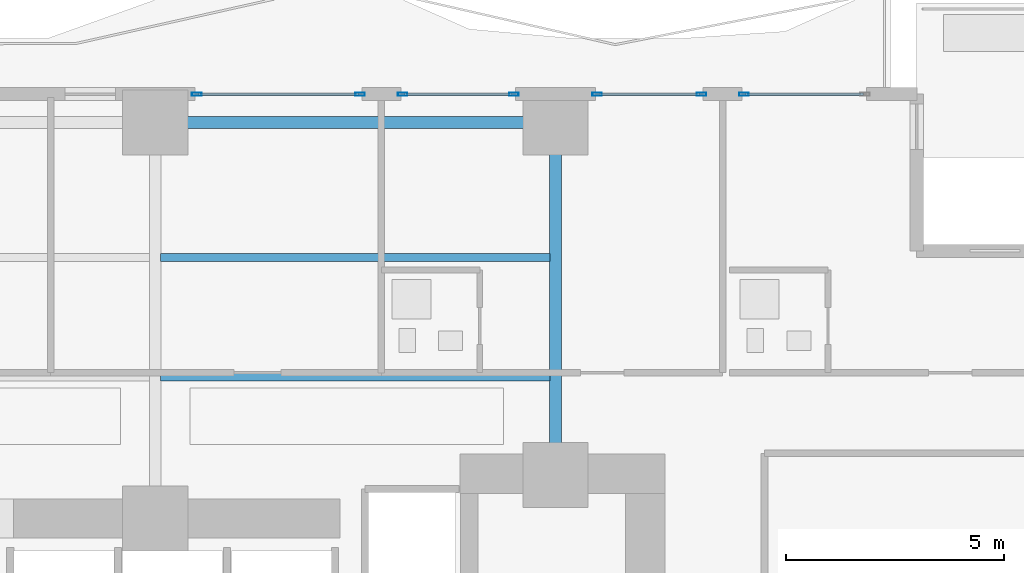
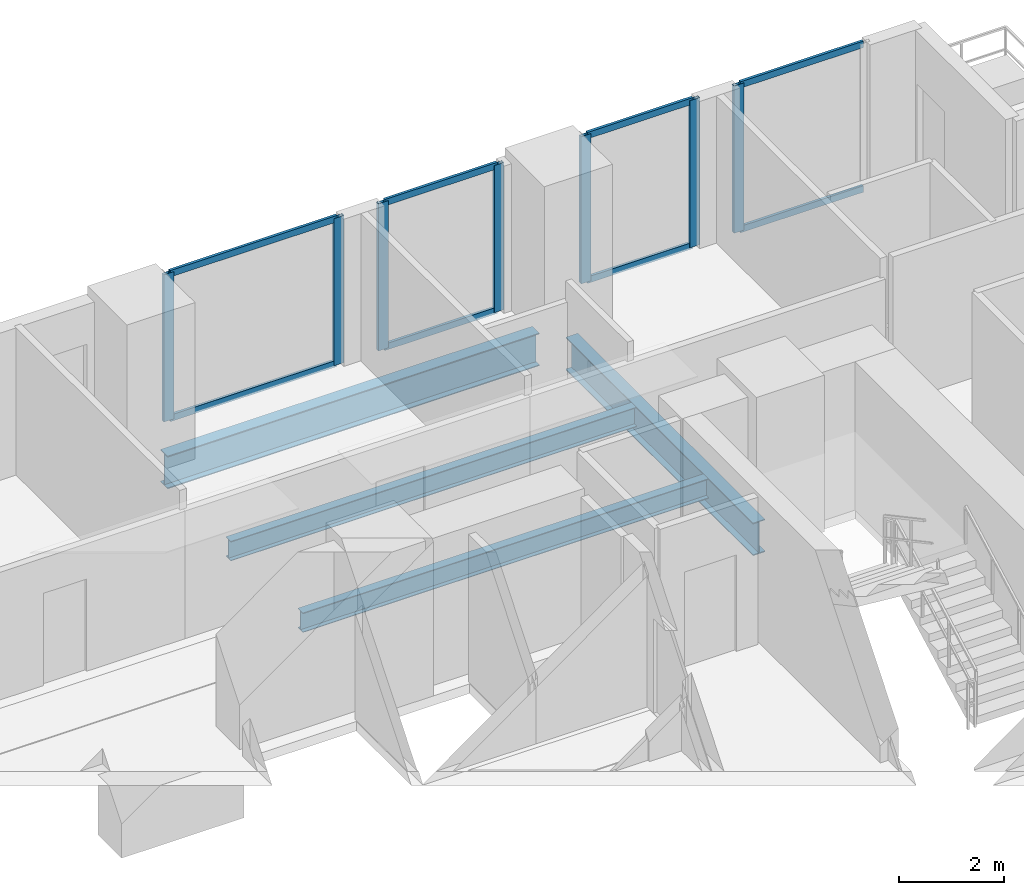
# One storey, part 16 of 28: 15 members, 4 beams, 4 elements without a shape of their own.
"""IFC4 building model written with IfcOpenShell, lengths in metres."""

import ifcopenshell
import ifcopenshell.guid

model = None  # the IFC model being written
_history = None  # IfcOwnerHistory: only IFC2X3 demands one
_inside = {}  # id of a spatial element -> (the spatial element, [elements in it])
_under = {}  # id of a project, library or spatial element -> (it, [spatial elements below it])
_declared = {}  # id of a project -> (the project, [libraries it declares])
_typed = {}  # id of a type object -> (the type object, [elements of that type])
_made_of = {}  # id of a material, layer set ... -> (it, [elements and type objects made of it])


def new_model(schema):
    """Start an empty IFC model of exactly this schema.

    Asked for "IFC4X3", IfcOpenShell would pick the latest addendum, in which some entities
    have other attributes; the version numbers below select the first issue.
    IFC2X3 requires an IfcOwnerHistory on every rooted entity: one is made here for all.
    """
    global model, _history
    if schema == "IFC4X3":
        model = ifcopenshell.file(schema_version=(4, 3, 0, 0))
    else:
        model = ifcopenshell.file(schema=schema)
    _inside.clear()
    _under.clear()
    _declared.clear()
    _typed.clear()
    _made_of.clear()
    _history = None
    if model.schema == "IFC2X3":
        org = make("IfcOrganization", Name="unknown")
        user = make(
            "IfcPersonAndOrganization",
            ThePerson=make("IfcPerson", FamilyName="unknown"),
            TheOrganization=org,
        )
        app = make(
            "IfcApplication",
            ApplicationDeveloper=org,
            Version="unknown",
            ApplicationFullName="unknown",
            ApplicationIdentifier="unknown",
        )
        _history = make(
            "IfcOwnerHistory",
            OwningUser=user,
            OwningApplication=app,
            ChangeAction="ADDED",
            CreationDate=0,
        )
    return model


def make(cls, **values):
    """One entity of the class cls with the attributes given. An attribute that is None is left unset."""
    return model.create_entity(
        cls, **{name: value for name, value in values.items() if value is not None}
    )


def rooted(cls, **values):
    """An entity with a GlobalId (a new one), such as an element, a storey or a relation."""
    return make(cls, GlobalId=ifcopenshell.guid.new(), OwnerHistory=_history, **values)


def si_unit(unit_type, name, prefix=None):
    """IfcSIUnit, for example si_unit("LENGTHUNIT", "METRE", prefix="MILLI")."""
    return make("IfcSIUnit", UnitType=unit_type, Prefix=prefix, Name=name)


def assignment(units):
    """IfcUnitAssignment: the units of a project."""
    return None if units is None else make("IfcUnitAssignment", Units=units)


def point(xyz):
    """IfcCartesianPoint."""
    return None if xyz is None else make("IfcCartesianPoint", Coordinates=xyz)


def direction(xyz):
    """IfcDirection."""
    return None if xyz is None else make("IfcDirection", DirectionRatios=xyz)


def frame(location, z_axis=None, x_axis=None):
    """IfcAxis2Placement3D, a coordinate frame: its origin and axes. An axis left out is left unset."""
    return make(
        "IfcAxis2Placement3D",
        Location=point(location),
        Axis=direction(z_axis),
        RefDirection=direction(x_axis),
    )


def frame_2d(location, x_axis=None):
    """IfcAxis2Placement2D, a coordinate frame in the plane: its origin and x axis."""
    return make(
        "IfcAxis2Placement2D", Location=point(location), RefDirection=direction(x_axis)
    )


def origin():
    """The frame at (0, 0, 0) with its axes left unset."""
    return frame((0.0, 0.0, 0.0))


def origin_2d():
    """The frame at (0, 0) in the plane with its x axis left unset."""
    return frame_2d((0.0, 0.0))


def place(relative_to, where):
    """IfcLocalPlacement: puts the frame where relative to a parent placement (None: the world)."""
    return make(
        "IfcLocalPlacement", PlacementRelTo=relative_to, RelativePlacement=where
    )


def context(
    kind, dimensions, precision=None, world=None, true_north=None, identifier=None
):
    """IfcGeometricRepresentationContext, for example the 3D "Model" context."""
    return make(
        "IfcGeometricRepresentationContext",
        ContextIdentifier=identifier,
        ContextType=kind,
        CoordinateSpaceDimension=dimensions,
        Precision=precision,
        WorldCoordinateSystem=world,
        TrueNorth=true_north,
    )


def subcontext(parent, identifier, kind, view, scale=None):
    """IfcGeometricRepresentationSubContext, for example "Body" below "Model"."""
    return make(
        "IfcGeometricRepresentationSubContext",
        ContextIdentifier=identifier,
        ContextType=kind,
        ParentContext=parent,
        TargetScale=scale,
        TargetView=view,
    )


def project(units=None, contexts=None):
    """IfcProject with its units and contexts."""
    return rooted(
        "IfcProject",
        Name="project",
        RepresentationContexts=contexts,
        UnitsInContext=assignment(units),
    )


def spatial(cls, under=None, at=None, **own):
    """A site, building, storey or space (cls), placed at a placement, below another one or the project."""
    s = rooted(cls, ObjectPlacement=at, **own)
    if under is not None:
        _under.setdefault(under.id(), (under, []))[1].append(s)
    return s


def profile(cls, at=None, kind="AREA", **sizes):
    """A parametric profile (cls). Its sizes go by their IFC names, for example OverallWidth=200.0."""
    return make(cls, ProfileType=kind, Position=at, **sizes)


def hollow_rectangle(**sizes):
    """IfcRectangleHollowProfileDef."""
    return profile("IfcRectangleHollowProfileDef", **sizes)


def i_section(**sizes):
    """IfcIShapeProfileDef."""
    return profile("IfcIShapeProfileDef", **sizes)


def extrude(swept, where, along, depth):
    """IfcExtrudedAreaSolid: the profile swept, set in the frame where, extruded along a direction by depth."""
    return make(
        "IfcExtrudedAreaSolid",
        SweptArea=swept,
        Position=where,
        ExtrudedDirection=direction(along),
        Depth=depth,
    )


def shape(context_of_items, identifier, shape_type, items):
    """IfcShapeRepresentation: the items that make up one representation, for example the "Body"."""
    return make(
        "IfcShapeRepresentation",
        ContextOfItems=context_of_items,
        RepresentationIdentifier=identifier,
        RepresentationType=shape_type,
        Items=items,
    )


def material(Name=None, Category=None):
    """IfcMaterial."""
    return make("IfcMaterial", Name=Name, Category=Category)


def layer(
    of_material, thickness, ventilated=None, Name=None, Category=None, Priority=None
):
    """IfcMaterialLayer: one layer of a wall or slab, of a material (None: an air gap)."""
    return make(
        "IfcMaterialLayer",
        Material=of_material,
        LayerThickness=thickness,
        IsVentilated=ventilated,
        Name=Name,
        Category=Category,
        Priority=Priority,
    )


def layer_set(layers, Name=None):
    """IfcMaterialLayerSet."""
    return make("IfcMaterialLayerSet", MaterialLayers=layers, LayerSetName=Name)


def material_profile(
    of_material, cross_section, Name=None, Category=None, Priority=None
):
    """IfcMaterialProfile: a cross section and its material."""
    return make(
        "IfcMaterialProfile",
        Name=Name,
        Material=of_material,
        Profile=cross_section,
        Priority=Priority,
        Category=Category,
    )


def profile_set(profiles, Name=None, composite=None):
    """IfcMaterialProfileSet."""
    return make(
        "IfcMaterialProfileSet",
        Name=Name,
        MaterialProfiles=profiles,
        CompositeProfile=composite,
    )


def made_of(thing, what):
    """Note that an element or type object is made of a material, layer set ...; save() writes the relation."""
    if what is not None:
        _made_of.setdefault(what.id(), (what, []))[1].append(thing)
    return thing


def type_object(cls, material=None, **own):
    """A type object (cls), such as IfcWallType, which elements share."""
    return made_of(rooted(cls, **own), material)


def element(
    cls,
    number,
    at=None,
    inside=None,
    cuts=None,
    type_object=None,
    material=None,
    context=None,
    identifier="Body",
    shape_type=None,
    held_by="IfcProductDefinitionShape",
    body=None,
    shapes=None,
    **own,
):
    """One element of the class cls, such as IfcWall. Its Tag is "e" and its number.

    at: its placement. inside: the storey or other place that contains it. cuts: it is an
    opening in that element (IfcRelVoidsElement). A single representation is given by context,
    identifier, shape_type and body (its items); several are given by shapes. held_by: the class
    of the entity that holds the representations. save() writes the other relations.
    """
    e = rooted(cls, Tag="e%d" % number, ObjectPlacement=at, **own)
    if body is not None:
        shapes = [shape(context, identifier, shape_type, body)]
    if shapes is not None:
        e.Representation = make(held_by, Representations=shapes)
    if inside is not None:
        _inside.setdefault(inside.id(), (inside, []))[1].append(e)
    if cuts is not None:
        rooted(
            "IfcRelVoidsElement", RelatingBuildingElement=cuts, RelatedOpeningElement=e
        )
    if type_object is not None:
        _typed.setdefault(type_object.id(), (type_object, []))[1].append(e)
    return made_of(e, material)


def aggregate(whole, parts):
    """IfcRelAggregates: a whole, such as a stair, and the parts it consists of."""
    return rooted("IfcRelAggregates", RelatingObject=whole, RelatedObjects=parts)


def save(model, path):
    """Write the relations noted so far, then the file.

    IfcRelAggregates (storeys below a building ...), IfcRelContainedInSpatialStructure (elements
    in a storey), IfcRelDefinesByType, IfcRelAssociatesMaterial and IfcRelDeclares: one each for
    every whole, place, type object, material and project.
    """
    for whole, parts in _under.values():
        aggregate(whole, parts)
    for where, things in _inside.values():
        rooted(
            "IfcRelContainedInSpatialStructure",
            RelatedElements=things,
            RelatingStructure=where,
        )
    for kind, things in _typed.values():
        rooted("IfcRelDefinesByType", RelatedObjects=things, RelatingType=kind)
    for what, things in _made_of.values():
        rooted("IfcRelAssociatesMaterial", RelatedObjects=things, RelatingMaterial=what)
    for by, libraries in _declared.values():
        rooted("IfcRelDeclares", RelatingContext=by, RelatedDefinitions=libraries)
    model.write(path)


model = new_model("IFC4")

# Units and contexts
model_context = context("Model", 3, precision=1e-05, world=origin(), true_north=direction((0.0, 1.0)))
body_context = subcontext(model_context, "Body", "Model", "MODEL_VIEW")
ifc_project = project(units=[si_unit("LENGTHUNIT", "METRE"), si_unit("AREAUNIT", "SQUARE_METRE"), si_unit("VOLUMEUNIT", "CUBIC_METRE"), si_unit("PLANEANGLEUNIT", "RADIAN"), si_unit("MASSUNIT", "GRAM", prefix="KILO")], contexts=[model_context])

# Site, building, storey
site_placement = place(None, origin())
site = spatial("IfcSite", under=ifc_project, at=site_placement, CompositionType="ELEMENT")
building_placement = place(site_placement, origin())
building = spatial("IfcBuilding", under=site, at=building_placement, Name="Zuhayl Quay Hotel", CompositionType="ELEMENT")
storey_placement = place(building_placement, frame((0.0, 0.0, 53.14990234375)))
storey = spatial("IfcBuildingStorey", under=building, at=storey_placement, Name="L12", CompositionType="ELEMENT", Elevation=53.14990234375)

# Beams
ifc_material_1 = material(Name="Steel ASTM A992 Grade 50", Category="steel")
ifc_material_profile_1 = material_profile(ifc_material_1, i_section(OverallWidth=0.26708984375, OverallDepth=0.761962890625, WebThickness=0.014404296875, FlangeThickness=0.021484375, at=origin_2d()), Name="W30X116")
ifc_profile_set_1 = profile_set([ifc_material_profile_1], Name="Steel ASTM A992 Grade 50")
beam_type_1 = type_object("IfcBeamType", Name="BM_B1_W30X116", PredefinedType="BEAM", material=ifc_profile_set_1)
beam_1_placement = place(storey_placement, frame((13.300048828125, 22.449951171875, -0.600830078125), z_axis=(-1.0, 0.0, 0.0), x_axis=(0.0, -1.0, 0.0)))
element("IfcBeam", 1, at=beam_1_placement, inside=storey, type_object=beam_type_1, Name="L12 Floor Beam RG_L12_07", PredefinedType="BEAM", context=body_context, shape_type="SweptSolid", body=[
    extrude(i_section(OverallWidth=0.26708984375, OverallDepth=0.761962890625, WebThickness=0.014404296875, FlangeThickness=0.021484375, at=origin_2d()), origin(), (0.0, 0.0, 1.0), 8.199951171875),
])
beam_2_placement = place(storey_placement, frame((13.800048828125, 14.800048828125, -0.600830078125), z_axis=(0.0, 1.0, 0.0), x_axis=(-1.0, 0.0, 0.0)))
element("IfcBeam", 2, at=beam_2_placement, inside=storey, type_object=beam_type_1, Name="L12 Floor Beam FG_N_L12_4", PredefinedType="BEAM", context=body_context, shape_type="SweptSolid", body=[
    extrude(i_section(OverallWidth=0.26708984375, OverallDepth=0.761962890625, WebThickness=0.014404296875, FlangeThickness=0.021484375, at=origin_2d()), origin(), (0.0, 0.0, 1.0), 7.14990234375),
])
ifc_material_profile_2 = material_profile(ifc_material_1, i_section(OverallWidth=0.18994140625, OverallDepth=0.45703125, WebThickness=0.009033203125, FlangeThickness=0.014404296875, at=origin_2d()), Name="W18X50")
ifc_profile_set_2 = profile_set([ifc_material_profile_2], Name="Steel ASTM A992 Grade 50")
beam_type_2 = type_object("IfcBeamType", Name="BM_J2_W18X50", PredefinedType="JOIST", material=ifc_profile_set_2)
for number, where, z_axis, x_axis, name in (
    (3, (4.7255859375, 16.60009765625, -0.448486328125), (1.0, 0.0, 0.0), (0.0, 1.0, 0.0), "L12 Floor Beam FJ_L12_1_3"),
    (4, (4.7255859375, 19.35009765625, -0.448486328125), (1.0, 0.0, 0.0), (0.0, 1.0, 0.0), "L12 Floor Beam FJ_L12_2_3"),
):
    element("IfcBeam", number, at=place(storey_placement, frame(where, z_axis=z_axis, x_axis=x_axis)), inside=storey, type_object=beam_type_2, Name=name, PredefinedType="JOIST", context=body_context, shape_type="SweptSolid", body=[
        extrude(i_section(OverallWidth=0.18994140625, OverallDepth=0.45703125, WebThickness=0.009033203125, FlangeThickness=0.014404296875, at=origin_2d()), origin(), (0.0, 0.0, 1.0), 8.948974609375),
    ])

# Curtain wall, members
ifc_material_2 = material(Name="Anodised Aluminium 6063-T6", Category="aluminium")
ifc_layer = layer(ifc_material_2, 0.18994140625, Name="Anodised Aluminium 6063-T6", Category="aluminium")
ifc_layer_set = layer_set([ifc_layer], Name="Anodised Aluminium 6063-T6")
curtain_wall_type = type_object("IfcCurtainWallType", Name="CW_SYS_Z1", PredefinedType="USERDEFINED", material=ifc_layer_set)
curtain_wall_1_placement = place(storey_placement, origin())
curtain_wall_1 = element("IfcCurtainWall", 5, at=curtain_wall_1_placement, inside=storey, type_object=curtain_wall_type, Name="L12 Curtain Wall ENV_L12_N_CW3", ObjectType="UNITISED CURTAIN WALL", PredefinedType="USERDEFINED")
ifc_material_3 = material(Name="Black-anodised aluminium 6063-T6", Category="aluminium")
ifc_material_profile_3 = material_profile(ifc_material_3, hollow_rectangle(XDim=0.074951171875, YDim=0.219970703125, WallThickness=0.00390625, at=origin_2d()), Name="ALU220X75")
ifc_profile_set_3 = profile_set([ifc_material_profile_3], Name="Black-anodised aluminium 6063-T6")
member_type_1 = type_object("IfcMemberType", Name="MB_CW_MUL_220", PredefinedType="MULLION", material=ifc_profile_set_3)
member_1_placement = place(storey_placement, frame((5.5576171875, 23.10009765625, 0.0), z_axis=(0.0, 0.0, 1.0), x_axis=(0.0, 1.0, 0.0)))
member_1 = element("IfcMember", 6, at=member_1_placement, type_object=member_type_1, Name="CW-Z1 mullion 1", PredefinedType="MULLION", context=body_context, shape_type="SweptSolid", body=[
    extrude(hollow_rectangle(XDim=0.074951171875, YDim=0.219970703125, WallThickness=0.00390625, at=origin_2d()), origin(), (0.0, 0.0, 1.0), 3.43017578125),
])
member_2_placement = place(storey_placement, frame((9.3125, 23.10009765625, 0.0), z_axis=(0.0, 0.0, 1.0), x_axis=(0.0, 1.0, 0.0)))
member_2 = element("IfcMember", 7, at=member_2_placement, type_object=member_type_1, Name="CW-Z1 mullion 2", PredefinedType="MULLION", context=body_context, shape_type="SweptSolid", body=[
    extrude(hollow_rectangle(XDim=0.074951171875, YDim=0.219970703125, WallThickness=0.00390625, at=origin_2d()), origin(), (0.0, 0.0, 1.0), 3.43017578125),
])

curtain_wall_2_placement = place(storey_placement, origin())
curtain_wall_2 = element("IfcCurtainWall", 8, at=curtain_wall_2_placement, inside=storey, type_object=curtain_wall_type, Name="L12 Curtain Wall ENV_L12_N_CW4", ObjectType="UNITISED CURTAIN WALL", PredefinedType="USERDEFINED")
member_3_placement = place(storey_placement, frame((10.28759765625, 23.10009765625, 0.0), z_axis=(0.0, 0.0, 1.0), x_axis=(0.0, 1.0, 0.0)))
member_3 = element("IfcMember", 9, at=member_3_placement, type_object=member_type_1, Name="CW-Z1 mullion 1", PredefinedType="MULLION", context=body_context, shape_type="SweptSolid", body=[
    extrude(hollow_rectangle(XDim=0.074951171875, YDim=0.219970703125, WallThickness=0.00390625, at=origin_2d()), origin(), (0.0, 0.0, 1.0), 3.43017578125),
])
member_4_placement = place(storey_placement, frame((12.842529296875, 23.10009765625, 0.0), z_axis=(0.0, 0.0, 1.0), x_axis=(0.0, 1.0, 0.0)))
member_4 = element("IfcMember", 10, at=member_4_placement, type_object=member_type_1, Name="CW-Z1 mullion 2", PredefinedType="MULLION", context=body_context, shape_type="SweptSolid", body=[
    extrude(hollow_rectangle(XDim=0.074951171875, YDim=0.219970703125, WallThickness=0.00390625, at=origin_2d()), origin(), (0.0, 0.0, 1.0), 3.43017578125),
])

curtain_wall_3_placement = place(storey_placement, origin())
curtain_wall_3 = element("IfcCurtainWall", 11, at=curtain_wall_3_placement, inside=storey, type_object=curtain_wall_type, Name="L12 Curtain Wall ENV_L12_N_CW5", ObjectType="UNITISED CURTAIN WALL", PredefinedType="USERDEFINED")
member_5_placement = place(storey_placement, frame((14.757568359375, 23.10009765625, 0.0), z_axis=(0.0, 0.0, 1.0), x_axis=(0.0, 1.0, 0.0)))
member_5 = element("IfcMember", 12, at=member_5_placement, type_object=member_type_1, Name="CW-Z1 mullion 1", PredefinedType="MULLION", context=body_context, shape_type="SweptSolid", body=[
    extrude(hollow_rectangle(XDim=0.074951171875, YDim=0.219970703125, WallThickness=0.00390625, at=origin_2d()), origin(), (0.0, 0.0, 1.0), 3.43017578125),
])
member_6_placement = place(storey_placement, frame((17.152587890625, 23.10009765625, 0.0), z_axis=(0.0, 0.0, 1.0), x_axis=(0.0, 1.0, 0.0)))
member_6 = element("IfcMember", 13, at=member_6_placement, type_object=member_type_1, Name="CW-Z1 mullion 2", PredefinedType="MULLION", context=body_context, shape_type="SweptSolid", body=[
    extrude(hollow_rectangle(XDim=0.074951171875, YDim=0.219970703125, WallThickness=0.00390625, at=origin_2d()), origin(), (0.0, 0.0, 1.0), 3.43017578125),
])

# Curtain wall, member
curtain_wall_4_placement = place(storey_placement, origin())
curtain_wall_4 = element("IfcCurtainWall", 14, at=curtain_wall_4_placement, inside=storey, type_object=curtain_wall_type, Name="L12 Curtain Wall ENV_L12_N_CW6", ObjectType="UNITISED CURTAIN WALL", PredefinedType="USERDEFINED")
member_7_placement = place(storey_placement, frame((18.12744140625, 23.10009765625, 0.0), z_axis=(0.0, 0.0, 1.0), x_axis=(0.0, 1.0, 0.0)))
member_7 = element("IfcMember", 15, at=member_7_placement, type_object=member_type_1, Name="CW-Z1 mullion 1", PredefinedType="MULLION", context=body_context, shape_type="SweptSolid", body=[
    extrude(hollow_rectangle(XDim=0.074951171875, YDim=0.219970703125, WallThickness=0.00390625, at=origin_2d()), origin(), (0.0, 0.0, 1.0), 3.43017578125),
])

# Member
ifc_material_profile_4 = material_profile(ifc_material_3, hollow_rectangle(XDim=0.06005859375, YDim=0.14990234375, WallThickness=0.00341796875, at=origin_2d()), Name="ALU150X60")
ifc_profile_set_4 = profile_set([ifc_material_profile_4], Name="Black-anodised aluminium 6063-T6")
member_type_2 = type_object("IfcMemberType", Name="MB_CW_TRN_150", PredefinedType="USERDEFINED", material=ifc_profile_set_4)
member_8_placement = place(storey_placement, frame((5.594970703125, 23.10009765625, 0.030029296875), z_axis=(1.0, 0.0, 0.0), x_axis=(0.0, 1.0, 0.0)))
member_8 = element("IfcMember", 16, at=member_8_placement, type_object=member_type_2, Name="CW-Z1 transom 1.1", ObjectType="TRANSOM", PredefinedType="USERDEFINED", context=body_context, shape_type="SweptSolid", body=[
    extrude(hollow_rectangle(XDim=0.06005859375, YDim=0.14990234375, WallThickness=0.00341796875, at=origin_2d()), origin(), (0.0, 0.0, 1.0), 3.679931640625),
])

member_9_placement = place(storey_placement, frame((5.594970703125, 23.10009765625, 3.400146484375), z_axis=(1.0, 0.0, 0.0), x_axis=(0.0, 1.0, 0.0)))
member_9 = element("IfcMember", 17, at=member_9_placement, type_object=member_type_2, Name="CW-Z1 transom 1.2", ObjectType="TRANSOM", PredefinedType="USERDEFINED", context=body_context, shape_type="SweptSolid", body=[
    extrude(hollow_rectangle(XDim=0.06005859375, YDim=0.14990234375, WallThickness=0.00341796875, at=origin_2d()), origin(), (0.0, 0.0, 1.0), 3.679931640625),
])

aggregate(curtain_wall_1, [member_1, member_2, member_8, member_9])

member_10_placement = place(storey_placement, frame((10.324951171875, 23.10009765625, 0.030029296875), z_axis=(1.0, 0.0, 0.0), x_axis=(0.0, 1.0, 0.0)))
member_10 = element("IfcMember", 18, at=member_10_placement, type_object=member_type_2, Name="CW-Z1 transom 1.1", ObjectType="TRANSOM", PredefinedType="USERDEFINED", context=body_context, shape_type="SweptSolid", body=[
    extrude(hollow_rectangle(XDim=0.06005859375, YDim=0.14990234375, WallThickness=0.00341796875, at=origin_2d()), origin(), (0.0, 0.0, 1.0), 2.47998046875),
])

member_11_placement = place(storey_placement, frame((10.324951171875, 23.10009765625, 3.400146484375), z_axis=(1.0, 0.0, 0.0), x_axis=(0.0, 1.0, 0.0)))
member_11 = element("IfcMember", 19, at=member_11_placement, type_object=member_type_2, Name="CW-Z1 transom 1.2", ObjectType="TRANSOM", PredefinedType="USERDEFINED", context=body_context, shape_type="SweptSolid", body=[
    extrude(hollow_rectangle(XDim=0.06005859375, YDim=0.14990234375, WallThickness=0.00341796875, at=origin_2d()), origin(), (0.0, 0.0, 1.0), 2.47998046875),
])

aggregate(curtain_wall_2, [member_3, member_4, member_10, member_11])

member_12_placement = place(storey_placement, frame((14.794921875, 23.10009765625, 0.030029296875), z_axis=(1.0, 0.0, 0.0), x_axis=(0.0, 1.0, 0.0)))
member_12 = element("IfcMember", 20, at=member_12_placement, type_object=member_type_2, Name="CW-Z1 transom 1.1", ObjectType="TRANSOM", PredefinedType="USERDEFINED", context=body_context, shape_type="SweptSolid", body=[
    extrude(hollow_rectangle(XDim=0.06005859375, YDim=0.14990234375, WallThickness=0.00341796875, at=origin_2d()), origin(), (0.0, 0.0, 1.0), 2.320068359375),
])

member_13_placement = place(storey_placement, frame((14.794921875, 23.10009765625, 3.400146484375), z_axis=(1.0, 0.0, 0.0), x_axis=(0.0, 1.0, 0.0)))
member_13 = element("IfcMember", 21, at=member_13_placement, type_object=member_type_2, Name="CW-Z1 transom 1.2", ObjectType="TRANSOM", PredefinedType="USERDEFINED", context=body_context, shape_type="SweptSolid", body=[
    extrude(hollow_rectangle(XDim=0.06005859375, YDim=0.14990234375, WallThickness=0.00341796875, at=origin_2d()), origin(), (0.0, 0.0, 1.0), 2.320068359375),
])

aggregate(curtain_wall_3, [member_5, member_6, member_12, member_13])

member_14_placement = place(storey_placement, frame((18.1650390625, 23.10009765625, 0.030029296875), z_axis=(1.0, 0.0, 0.0), x_axis=(0.0, 1.0, 0.0)))
member_14 = element("IfcMember", 22, at=member_14_placement, type_object=member_type_2, Name="CW-Z1 transom 1.1", ObjectType="TRANSOM", PredefinedType="USERDEFINED", context=body_context, shape_type="SweptSolid", body=[
    extrude(hollow_rectangle(XDim=0.06005859375, YDim=0.14990234375, WallThickness=0.00341796875, at=origin_2d()), origin(), (0.0, 0.0, 1.0), 2.7099609375),
])

member_15_placement = place(storey_placement, frame((18.1650390625, 23.10009765625, 3.400146484375), z_axis=(1.0, 0.0, 0.0), x_axis=(0.0, 1.0, 0.0)))
member_15 = element("IfcMember", 23, at=member_15_placement, type_object=member_type_2, Name="CW-Z1 transom 1.2", ObjectType="TRANSOM", PredefinedType="USERDEFINED", context=body_context, shape_type="SweptSolid", body=[
    extrude(hollow_rectangle(XDim=0.06005859375, YDim=0.14990234375, WallThickness=0.00341796875, at=origin_2d()), origin(), (0.0, 0.0, 1.0), 2.7099609375),
])

aggregate(curtain_wall_4, [member_7, member_14, member_15])

save(model, "model.ifc")
